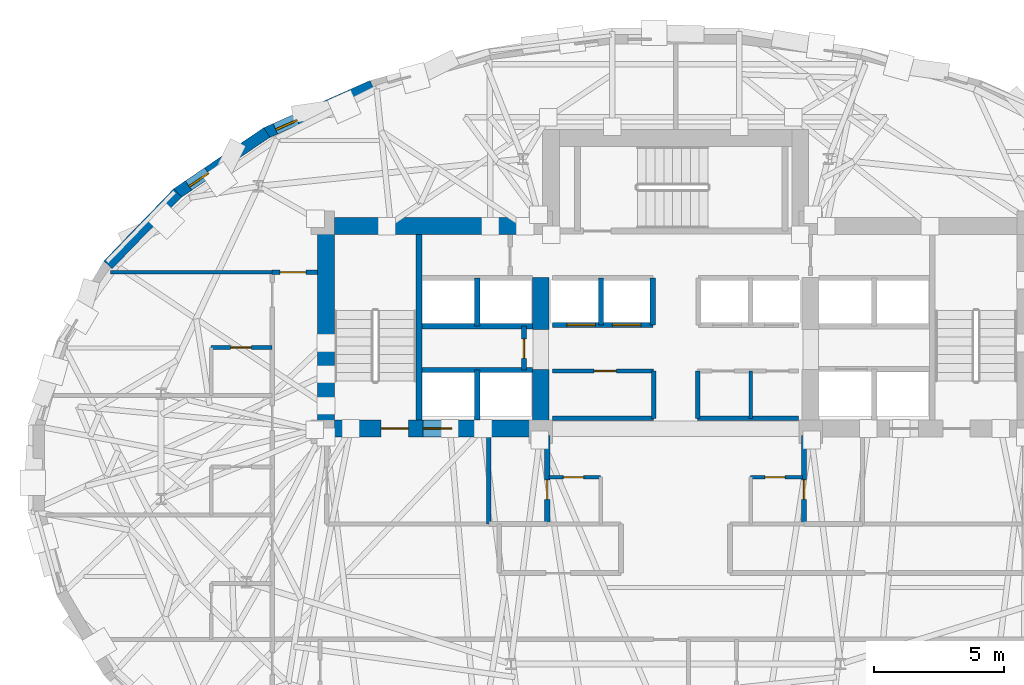
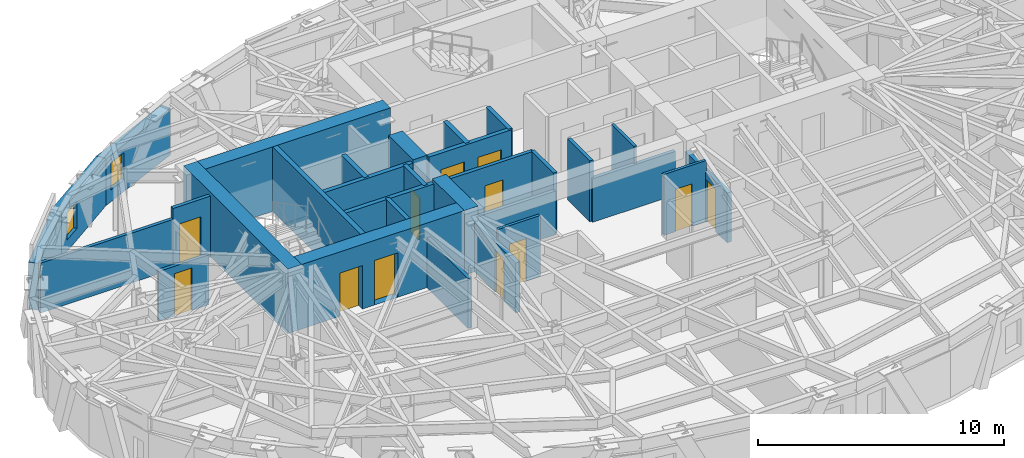
# One storey, part 7 of 14: 31 walls, 12 doors, 2 windows, 14 openings.
"""IFC4 building model written with IfcOpenShell, lengths in metres."""

from ifc_helpers import new_model, si_unit, direction, frame, frame_2d, origin, place, context, subcontext, project, spatial, rectangle, extrude, material, layer, layer_set, type_object, element, fill, save


model = new_model("IFC4")

# Units and contexts
model_context = context("Model", 3, precision=1e-05, world=origin(), true_north=direction((0.0, 1.0)))
body_context = subcontext(model_context, "Body", "Model", "MODEL_VIEW")
ifc_project = project(units=[si_unit("LENGTHUNIT", "METRE"), si_unit("AREAUNIT", "SQUARE_METRE"), si_unit("VOLUMEUNIT", "CUBIC_METRE"), si_unit("PLANEANGLEUNIT", "RADIAN"), si_unit("MASSUNIT", "GRAM", prefix="KILO")], contexts=[model_context])

# Site, building, storey
site_placement = place(None, origin())
site = spatial("IfcSite", under=ifc_project, at=site_placement, CompositionType="ELEMENT")
building_placement = place(site_placement, origin())
building = spatial("IfcBuilding", under=site, at=building_placement, Name="Keldmark Tower", CompositionType="ELEMENT")
storey_placement = place(building_placement, frame((0.0, 0.0, 169.39990234375)))
storey = spatial("IfcBuildingStorey", under=building, at=storey_placement, Name="L46", CompositionType="ELEMENT", Elevation=169.39990234375)

# Wall, opening, door
ifc_material_1 = material(Name="Acoustic Gypsum Board Interior Partition", Category="gypsum")
ifc_layer_1 = layer(ifc_material_1, 0.1298828125)
ifc_layer_set_1 = layer_set([ifc_layer_1], Name="Acoustic Gypsum Board Interior Partition")
wall_type_1 = type_object("IfcWallType", Name="Interior Partition 130 mm", PredefinedType="PARTITIONING", material=ifc_layer_set_1)
wall_1_placement = place(storey_placement, frame((-4.8798828125, -0.35009765625, 0.0), z_axis=(0.0, 0.0, 1.0), x_axis=(1.0, 0.0, 0.0)))
wall_1 = element("IfcWall", 1, at=wall_1_placement, inside=storey, type_object=wall_type_1, Name="L46 Interior Partition 130 mm CSC-W-N", PredefinedType="PARTITIONING", context=body_context, shape_type="SweptSolid", body=[
    extrude(rectangle(XDim=1.989990234375, YDim=0.1298828125, at=frame_2d((0.9951171875, 0.0))), origin(), (0.0, 0.0, 1.0), 3.02001953125),
])
opening_1_placement = place(wall_1_placement, frame((0.550048828125, 0.0, 0.0)))
opening_1 = element("IfcOpeningElement", 2, at=opening_1_placement, cuts=wall_1, Name="Opening D-CL078", PredefinedType="OPENING", context=body_context, shape_type="SweptSolid", body=[
    extrude(rectangle(XDim=0.780029296875, YDim=2.10009765625, at=frame_2d((0.39013671875, 1.050048828125))), frame((0.0, 0.074951171875, 0.0), z_axis=(0.0, -1.0, 0.0), x_axis=(1.0, 0.0, 0.0)), (0.0, 0.0, 1.0), 0.14990234375),
])
ifc_material_2 = material(Name="Flush Utility Closet Timber Door", Category="wood")
door_type_1 = type_object("IfcDoorType", Name="Closet Door 780x2100", OperationType="NOTDEFINED", PredefinedType="DOOR", material=ifc_material_2)
door_1_placement = place(opening_1_placement, origin())
door_1 = element("IfcDoor", 3, at=door_1_placement, inside=storey, type_object=door_type_1, Name="L46 Closet Door 780x2100 D-CSCW1-L46", OperationType="SINGLE_SWING_RIGHT", OverallHeight=2.10009765625, OverallWidth=0.780029296875, PredefinedType="DOOR", context=body_context, shape_type="SweptSolid", body=[
    extrude(rectangle(XDim=0.780029296875, YDim=2.10009765625, at=frame_2d((0.39013671875, 1.050048828125))), frame((0.0, 0.02490234375, 0.0), z_axis=(0.0, -1.0, 0.0), x_axis=(1.0, 0.0, 0.0)), (0.0, 0.0, 1.0), 0.050048828125),
])
fill(opening_1, door_1)

wall_2_placement = place(storey_placement, frame((2.889892578125, -0.35009765625, 0.0), z_axis=(0.0, 0.0, 1.0), x_axis=(1.0, 0.0, 0.0)))
wall_2 = element("IfcWall", 4, at=wall_2_placement, inside=storey, type_object=wall_type_1, Name="L46 Interior Partition 130 mm CSC-E-N", PredefinedType="PARTITIONING", context=body_context, shape_type="SweptSolid", body=[
    extrude(rectangle(XDim=1.989990234375, YDim=0.1298828125, at=frame_2d((0.9951171875, 0.0))), origin(), (0.0, 0.0, 1.0), 3.02001953125),
])
opening_2_placement = place(wall_2_placement, frame((0.550048828125, 0.0, 0.0)))
opening_2 = element("IfcOpeningElement", 5, at=opening_2_placement, cuts=wall_2, Name="Opening D-CL078", PredefinedType="OPENING", context=body_context, shape_type="SweptSolid", body=[
    extrude(rectangle(XDim=0.780029296875, YDim=2.10009765625, at=frame_2d((0.39013671875, 1.050048828125))), frame((0.0, 0.074951171875, 0.0), z_axis=(0.0, -1.0, 0.0), x_axis=(1.0, 0.0, 0.0)), (0.0, 0.0, 1.0), 0.14990234375),
])
door_2_placement = place(opening_2_placement, origin())
door_2 = element("IfcDoor", 6, at=door_2_placement, inside=storey, type_object=door_type_1, Name="L46 Closet Door 780x2100 D-CSCE1-L46", OperationType="SINGLE_SWING_RIGHT", OverallHeight=2.10009765625, OverallWidth=0.780029296875, PredefinedType="DOOR", context=body_context, shape_type="SweptSolid", body=[
    extrude(rectangle(XDim=0.780029296875, YDim=2.10009765625, at=frame_2d((0.39013671875, 1.050048828125))), frame((0.0, 0.02490234375, 0.0), z_axis=(0.0, -1.0, 0.0), x_axis=(1.0, 0.0, 0.0)), (0.0, 0.0, 1.0), 0.050048828125),
])
fill(opening_2, door_2)

# Walls
wall_3_placement = place(storey_placement, frame((2.89990234375, 1.919921875, 0.0), z_axis=(0.0, 0.0, 1.0), x_axis=(0.0, 1.0, 0.0)))
element("IfcWall", 7, at=wall_3_placement, inside=storey, type_object=wall_type_1, Name="L46 Interior Partition 130 mm REC-LE-M", PredefinedType="PARTITIONING", context=body_context, shape_type="SweptSolid", body=[
    extrude(rectangle(XDim=1.820068359375, YDim=0.1298828125, at=frame_2d((0.91015625, 0.0))), origin(), (0.0, 0.0, 1.0), 3.02001953125),
])
ifc_material_3 = material(Name="Type X Fire-Rated Gypsum Partition Assembly", Category="gypsum")
ifc_layer_2 = layer(ifc_material_3, 0.1650390625)
ifc_layer_set_2 = layer_set([ifc_layer_2], Name="Type X Fire-Rated Gypsum Partition Assembly")
wall_type_2 = type_object("IfcWallType", Name="Rated Partition 165 mm", PredefinedType="PARTITIONING", material=ifc_layer_set_2)
wall_4_placement = place(storey_placement, frame((-7.199951171875, -2.14990234375, 0.0), z_axis=(0.0, 0.0, 1.0), x_axis=(0.0, 1.0, 0.0)))
element("IfcWall", 8, at=wall_4_placement, inside=storey, type_object=wall_type_2, Name="L46 Rated Partition 165 mm FSAE-W-E", PredefinedType="PARTITIONING", context=body_context, shape_type="SweptSolid", body=[
    extrude(rectangle(XDim=3.39990234375, YDim=0.1650390625, at=frame_2d((1.699951171875, 0.0))), origin(), (0.0, 0.0, 1.0), 2.47314453125),
])
wall_5_placement = place(storey_placement, frame((-4.739990234375, 1.919921875, 0.0), z_axis=(0.0, 0.0, 1.0), x_axis=(1.0, 0.0, 0.0)))
element("IfcWall", 9, at=wall_5_placement, inside=storey, type_object=wall_type_2, Name="L46 Rated Partition 165 mm REC-LW-S", PredefinedType="PARTITIONING", context=body_context, shape_type="SweptSolid", body=[
    extrude(rectangle(XDim=3.889892578125, YDim=0.1650390625, at=frame_2d((1.94482421875, 0.0))), origin(), (0.0, 0.0, 1.0), 2.16015625),
])

# Wall, opening, door
wall_6_placement = place(storey_placement, frame((-4.739990234375, 3.739990234375, 0.0), z_axis=(0.0, 0.0, 1.0), x_axis=(1.0, 0.0, 0.0)))
wall_6 = element("IfcWall", 10, at=wall_6_placement, inside=storey, type_object=wall_type_2, Name="L46 Rated Partition 165 mm REC-LW-N", PredefinedType="PARTITIONING", context=body_context, shape_type="SweptSolid", body=[
    extrude(rectangle(XDim=3.889892578125, YDim=0.1650390625, at=frame_2d((1.94482421875, 0.0))), origin(), (0.0, 0.0, 1.0), 3.02001953125),
])
opening_3_placement = place(wall_6_placement, frame((1.60009765625, 0.0, 0.0)))
opening_3 = element("IfcOpeningElement", 11, at=opening_3_placement, cuts=wall_6, Name="Opening D-SV085", PredefinedType="OPENING", context=body_context, shape_type="SweptSolid", body=[
    extrude(rectangle(XDim=0.85009765625, YDim=2.10009765625, at=frame_2d((0.425048828125, 1.050048828125))), frame((0.0, 0.092529296875, 0.0), z_axis=(0.0, -1.0, 0.0), x_axis=(1.0, 0.0, 0.0)), (0.0, 0.0, 1.0), 0.18505859375),
])
ifc_material_4 = material(Name="Painted Hollow Metal Door Assembly", Category="metal")
door_type_2 = type_object("IfcDoorType", Name="Service Door 850x2100", OperationType="NOTDEFINED", PredefinedType="DOOR", material=ifc_material_4)
door_3_placement = place(opening_3_placement, origin())
door_3 = element("IfcDoor", 12, at=door_3_placement, inside=storey, type_object=door_type_2, Name="L46 Service Door 850x2100 D-RECLW1-L46", OperationType="SINGLE_SWING_LEFT", OverallHeight=2.10009765625, OverallWidth=0.85009765625, PredefinedType="DOOR", context=body_context, shape_type="SweptSolid", body=[
    extrude(rectangle(XDim=0.85009765625, YDim=2.10009765625, at=frame_2d((0.425048828125, 1.050048828125))), frame((0.0, 0.02490234375, 0.0), z_axis=(0.0, -1.0, 0.0), x_axis=(1.0, 0.0, 0.0)), (0.0, 0.0, 1.0), 0.050048828125),
])
fill(opening_3, door_3)

# Walls
wall_7_placement = place(storey_placement, frame((-0.85009765625, 1.919921875, 0.0), z_axis=(0.0, 0.0, 1.0), x_axis=(0.0, 1.0, 0.0)))
element("IfcWall", 13, at=wall_7_placement, inside=storey, type_object=wall_type_2, Name="L46 Rated Partition 165 mm REC-LW-E", PredefinedType="PARTITIONING", context=body_context, shape_type="SweptSolid", body=[
    extrude(rectangle(XDim=1.820068359375, YDim=0.1650390625, at=frame_2d((0.91015625, 0.0))), origin(), (0.0, 0.0, 1.0), 3.02001953125),
])
wall_8_placement = place(storey_placement, frame((0.85009765625, 1.919921875, 0.0), z_axis=(0.0, 0.0, 1.0), x_axis=(1.0, 0.0, 0.0)))
element("IfcWall", 14, at=wall_8_placement, inside=storey, type_object=wall_type_2, Name="L46 Rated Partition 165 mm REC-LE-S", PredefinedType="PARTITIONING", context=body_context, shape_type="SweptSolid", body=[
    extrude(rectangle(XDim=3.889892578125, YDim=0.1650390625, at=frame_2d((1.94482421875, 0.0))), origin(), (0.0, 0.0, 1.0), 2.16015625),
])
wall_9_placement = place(storey_placement, frame((0.85009765625, 1.919921875, 0.0), z_axis=(0.0, 0.0, 1.0), x_axis=(0.0, 1.0, 0.0)))
element("IfcWall", 15, at=wall_9_placement, inside=storey, type_object=wall_type_2, Name="L46 Rated Partition 165 mm REC-LE-W", PredefinedType="PARTITIONING", context=body_context, shape_type="SweptSolid", body=[
    extrude(rectangle(XDim=1.820068359375, YDim=0.1650390625, at=frame_2d((0.91015625, 0.0))), origin(), (0.0, 0.0, 1.0), 3.02001953125),
])

# Wall, opening, door
wall_10_placement = place(storey_placement, frame((-15.550048828125, 7.550048828125, 0.0), z_axis=(0.0, 0.0, 1.0), x_axis=(1.0, 0.0, 0.0)))
wall_10 = element("IfcWall", 16, at=wall_10_placement, inside=storey, type_object=wall_type_2, Name="L46 Rated Partition 165 mm HCOR-WN", PredefinedType="PARTITIONING", context=body_context, shape_type="SweptSolid", body=[
    extrude(rectangle(XDim=1.75, YDim=0.1650390625, at=frame_2d((0.875, 0.0))), origin(), (0.0, 0.0, 1.0), 3.02001953125),
])
opening_4_placement = place(wall_10_placement, frame((0.300048828125, 0.0, 0.0)))
opening_4 = element("IfcOpeningElement", 17, at=opening_4_placement, cuts=wall_10, Name="Opening D-FD100", PredefinedType="OPENING", context=body_context, shape_type="SweptSolid", body=[
    extrude(rectangle(XDim=1.0, YDim=2.14990234375, at=frame_2d((0.5, 1.074951171875))), frame((0.0, 0.092529296875, 0.0), z_axis=(0.0, -1.0, 0.0), x_axis=(1.0, 0.0, 0.0)), (0.0, 0.0, 1.0), 0.18505859375),
])
ifc_material_5 = material(Name="Hollow Metal Fire-Rated Corridor Door", Category="metal")
door_type_3 = type_object("IfcDoorType", Name="Fire Door 1000x2150", OperationType="NOTDEFINED", PredefinedType="DOOR", material=ifc_material_5)
door_4_placement = place(opening_4_placement, origin())
door_4 = element("IfcDoor", 18, at=door_4_placement, inside=storey, type_object=door_type_3, Name="L46 Fire Door 1000x2150 D-HNNW-L46", OperationType="SINGLE_SWING_LEFT", OverallHeight=2.14990234375, OverallWidth=1.0, PredefinedType="DOOR", context=body_context, shape_type="SweptSolid", body=[
    extrude(rectangle(XDim=1.0, YDim=2.14990234375, at=frame_2d((0.5, 1.074951171875))), frame((0.0, 0.02490234375, 0.0), z_axis=(0.0, -1.0, 0.0), x_axis=(1.0, 0.0, 0.0)), (0.0, 0.0, 1.0), 0.050048828125),
])
fill(opening_4, door_4)

ifc_material_6 = material(Name="Fire-Resistant Type X Gypsum Shaftliner Coreboard", Category="gypsum")
ifc_layer_3 = layer(ifc_material_6, 0.199951171875)
ifc_layer_set_3 = layer_set([ifc_layer_3], Name="Fire-Resistant Type X Gypsum Shaftliner Coreboard")
wall_type_3 = type_object("IfcWallType", Name="Shaft Wall 200 mm", PredefinedType="SOLIDWALL", material=ifc_layer_set_3)
wall_11_placement = place(storey_placement, frame((-4.949951171875, -2.14990234375, 0.0), z_axis=(0.0, 0.0, 1.0), x_axis=(0.0, 1.0, 0.0)))
wall_11 = element("IfcWall", 19, at=wall_11_placement, inside=storey, type_object=wall_type_3, Name="L46 Shaft Wall 200 mm RIS-SW-E", PredefinedType="SOLIDWALL", context=body_context, shape_type="SweptSolid", body=[
    extrude(rectangle(XDim=3.39990234375, YDim=0.199951171875, at=frame_2d((1.699951171875, 0.0))), origin(), (0.0, 0.0, 1.0), 2.47314453125),
])
opening_5_placement = place(wall_11_placement, frame((0.949951171875, 0.0, 0.0)))
opening_5 = element("IfcOpeningElement", 20, at=opening_5_placement, cuts=wall_11, Name="Opening D-RS075", PredefinedType="OPENING", context=body_context, shape_type="SweptSolid", body=[
    extrude(rectangle(XDim=0.75, YDim=2.10009765625, at=frame_2d((0.375, 1.050048828125))), frame((0.0, 0.10986328125, 0.0), z_axis=(0.0, -1.0, 0.0), x_axis=(1.0, 0.0, 0.0)), (0.0, 0.0, 1.0), 0.219970703125),
])
ifc_material_7 = material(Name="Galvanized Fire-Rated Access Leaf", Category="metal")
door_type_4 = type_object("IfcDoorType", Name="Riser Access Door 750x2100", OperationType="NOTDEFINED", PredefinedType="DOOR", material=ifc_material_7)
door_5_placement = place(opening_5_placement, origin())
door_5 = element("IfcDoor", 21, at=door_5_placement, inside=storey, type_object=door_type_4, Name="L46 Riser Access Door 750x2100 D-RISSW-L46", OperationType="SINGLE_SWING_RIGHT", OverallHeight=2.10009765625, OverallWidth=0.75, PredefinedType="DOOR", context=body_context, shape_type="SweptSolid", body=[
    extrude(rectangle(XDim=0.75, YDim=2.10009765625, at=frame_2d((0.375, 1.050048828125))), frame((0.0, 0.02490234375, 0.0), z_axis=(0.0, -1.0, 0.0), x_axis=(1.0, 0.0, 0.0)), (0.0, 0.0, 1.0), 0.050048828125),
])
fill(opening_5, door_5)

wall_12_placement = place(storey_placement, frame((4.949951171875, -2.14990234375, 0.0), z_axis=(0.0, 0.0, 1.0), x_axis=(0.0, 1.0, 0.0)))
wall_12 = element("IfcWall", 22, at=wall_12_placement, inside=storey, type_object=wall_type_3, Name="L46 Shaft Wall 200 mm RIS-SE-W", PredefinedType="SOLIDWALL", context=body_context, shape_type="SweptSolid", body=[
    extrude(rectangle(XDim=3.39990234375, YDim=0.199951171875, at=frame_2d((1.699951171875, 0.0))), origin(), (0.0, 0.0, 1.0), 2.47314453125),
])
opening_6_placement = place(wall_12_placement, frame((0.949951171875, 0.0, 0.0)))
opening_6 = element("IfcOpeningElement", 23, at=opening_6_placement, cuts=wall_12, Name="Opening D-RS075", PredefinedType="OPENING", context=body_context, shape_type="SweptSolid", body=[
    extrude(rectangle(XDim=0.75, YDim=2.10009765625, at=frame_2d((0.375, 1.050048828125))), frame((0.0, 0.10986328125, 0.0), z_axis=(0.0, -1.0, 0.0), x_axis=(1.0, 0.0, 0.0)), (0.0, 0.0, 1.0), 0.219970703125),
])
door_6_placement = place(opening_6_placement, origin())
door_6 = element("IfcDoor", 24, at=door_6_placement, inside=storey, type_object=door_type_4, Name="L46 Riser Access Door 750x2100 D-RISSE-L46", OperationType="SINGLE_SWING_LEFT", OverallHeight=2.10009765625, OverallWidth=0.75, PredefinedType="DOOR", context=body_context, shape_type="SweptSolid", body=[
    extrude(rectangle(XDim=0.75, YDim=2.10009765625, at=frame_2d((0.375, 1.050048828125))), frame((0.0, 0.02490234375, 0.0), z_axis=(0.0, -1.0, 0.0), x_axis=(1.0, 0.0, 0.0)), (0.0, 0.0, 1.0), 0.050048828125),
])
fill(opening_6, door_6)

# Walls
wall_13_placement = place(storey_placement, frame((-9.780029296875, 3.780029296875, 0.0), z_axis=(0.0, 0.0, 1.0), x_axis=(1.0, 0.0, 0.0)))
element("IfcWall", 25, at=wall_13_placement, inside=storey, type_object=wall_type_3, Name="L46 Shaft Wall 200 mm HW-W-S", PredefinedType="SOLIDWALL", context=body_context, shape_type="SweptSolid", body=[
    extrude(rectangle(XDim=4.255126953125, YDim=0.199951171875, at=frame_2d((2.12744140625, 0.0))), origin(), (0.0, 0.0, 1.0), 3.02001953125),
])
wall_14_placement = place(storey_placement, frame((-7.64990234375, 1.85009765625, 0.0), z_axis=(0.0, 0.0, 1.0), x_axis=(0.0, 1.0, 0.0)))
element("IfcWall", 26, at=wall_14_placement, inside=storey, type_object=wall_type_3, Name="L46 Shaft Wall 200 mm HW-W-M", PredefinedType="SOLIDWALL", context=body_context, shape_type="SweptSolid", body=[
    extrude(rectangle(XDim=1.929931640625, YDim=0.199951171875, at=frame_2d((0.96484375, 0.0))), origin(), (0.0, 0.0, 1.0), 3.02001953125),
])
wall_15_placement = place(storey_placement, frame((-9.780029296875, 5.469970703125, 0.0), z_axis=(0.0, 0.0, 1.0), x_axis=(1.0, 0.0, 0.0)))
element("IfcWall", 27, at=wall_15_placement, inside=storey, type_object=wall_type_3, Name="L46 Shaft Wall 200 mm HW-W-N", PredefinedType="SOLIDWALL", context=body_context, shape_type="SweptSolid", body=[
    extrude(rectangle(XDim=4.255126953125, YDim=0.199951171875, at=frame_2d((2.12744140625, 0.0))), origin(), (0.0, 0.0, 1.0), 3.02001953125),
])
wall_16_placement = place(storey_placement, frame((-7.64990234375, 5.469970703125, 0.0), z_axis=(0.0, 0.0, 1.0), x_axis=(0.0, 1.0, 0.0)))
element("IfcWall", 28, at=wall_16_placement, inside=storey, type_object=wall_type_3, Name="L46 Shaft Wall 200 mm HW-W-NM", PredefinedType="SOLIDWALL", context=body_context, shape_type="SweptSolid", body=[
    extrude(rectangle(XDim=1.860107421875, YDim=0.199951171875, at=frame_2d((0.93017578125, 0.0))), origin(), (0.0, 0.0, 1.0), 3.02001953125),
])

# Wall, opening, door
wall_17_placement = place(storey_placement, frame((-5.85009765625, 3.780029296875, 0.0), z_axis=(0.0, 0.0, 1.0), x_axis=(0.0, 1.0, 0.0)))
wall_17 = element("IfcWall", 29, at=wall_17_placement, inside=storey, type_object=wall_type_3, Name="L46 Shaft Wall 200 mm HW-W-CLOSE", PredefinedType="SOLIDWALL", context=body_context, shape_type="SweptSolid", body=[
    extrude(rectangle(XDim=1.68994140625, YDim=0.199951171875, at=frame_2d((0.844970703125, 0.0))), origin(), (0.0, 0.0, 1.0), 3.02001953125),
])
opening_7_placement = place(wall_17_placement, frame((0.449951171875, 0.0, 0.0)))
opening_7 = element("IfcOpeningElement", 30, at=opening_7_placement, cuts=wall_17, Name="Opening D-RS075", PredefinedType="OPENING", context=body_context, shape_type="SweptSolid", body=[
    extrude(rectangle(XDim=0.75, YDim=2.10009765625, at=frame_2d((0.375, 1.050048828125))), frame((0.0, 0.10986328125, 0.0), z_axis=(0.0, -1.0, 0.0), x_axis=(1.0, 0.0, 0.0)), (0.0, 0.0, 1.0), 0.219970703125),
])
door_7_placement = place(opening_7_placement, origin())
door_7 = element("IfcDoor", 31, at=door_7_placement, inside=storey, type_object=door_type_4, Name="L46 Riser Access Door 750x2100 D-RISHW-L46", OperationType="SINGLE_SWING_RIGHT", OverallHeight=2.10009765625, OverallWidth=0.75, PredefinedType="DOOR", context=body_context, shape_type="SweptSolid", body=[
    extrude(rectangle(XDim=0.75, YDim=2.10009765625, at=frame_2d((0.375, 1.050048828125))), frame((0.0, 0.02490234375, 0.0), z_axis=(0.0, -1.0, 0.0), x_axis=(1.0, 0.0, 0.0)), (0.0, 0.0, 1.0), 0.050048828125),
])
fill(opening_7, door_7)

# Wall, openings, doors
wall_18_placement = place(storey_placement, frame((-4.739990234375, 5.52001953125, 0.0), z_axis=(0.0, 0.0, 1.0), x_axis=(1.0, 0.0, 0.0)))
wall_18 = element("IfcWall", 32, at=wall_18_placement, inside=storey, type_object=wall_type_3, Name="L46 Shaft Wall 200 mm MID-S-W", PredefinedType="SOLIDWALL", context=body_context, shape_type="SweptSolid", body=[
    extrude(rectangle(XDim=3.860107421875, YDim=0.199951171875, at=frame_2d((1.93017578125, 0.0))), origin(), (0.0, 0.0, 1.0), 3.02001953125),
])
opening_8_placement = place(wall_18_placement, frame((0.550048828125, 0.0, 0.0)))
opening_8 = element("IfcOpeningElement", 33, at=opening_8_placement, cuts=wall_18, Name="Opening LD-110", PredefinedType="OPENING", context=body_context, shape_type="SweptSolid", body=[
    extrude(rectangle(XDim=1.10009765625, YDim=2.199951171875, at=frame_2d((0.550048828125, 1.10009765625))), frame((0.0, 0.10986328125, 0.0), z_axis=(0.0, -1.0, 0.0), x_axis=(1.0, 0.0, 0.0)), (0.0, 0.0, 1.0), 0.219970703125),
])
opening_9_placement = place(wall_18_placement, frame((2.300048828125, 0.0, 0.0)))
opening_9 = element("IfcOpeningElement", 34, at=opening_9_placement, cuts=wall_18, Name="Opening LD-110", PredefinedType="OPENING", context=body_context, shape_type="SweptSolid", body=[
    extrude(rectangle(XDim=1.10009765625, YDim=2.199951171875, at=frame_2d((0.550048828125, 1.10009765625))), frame((0.0, 0.10986328125, 0.0), z_axis=(0.0, -1.0, 0.0), x_axis=(1.0, 0.0, 0.0)), (0.0, 0.0, 1.0), 0.219970703125),
])
ifc_material_8 = material(Name="Brushed Bronze Hoistway Sliding Leaf", Category="metal")
door_type_5 = type_object("IfcDoorType", Name="Lift Landing Sliding Door 1100x2200", OperationType="SLIDING_TO_LEFT", PredefinedType="DOOR", material=ifc_material_8)
door_8_placement = place(opening_8_placement, origin())
door_8 = element("IfcDoor", 35, at=door_8_placement, inside=storey, type_object=door_type_5, Name="L46 Lift Landing Sliding Door 1100x2200 LD-EL-M1-L46", OperationType="SLIDING_TO_LEFT", OverallHeight=2.199951171875, OverallWidth=1.10009765625, PredefinedType="DOOR", context=body_context, shape_type="SweptSolid", body=[
    extrude(rectangle(XDim=1.10009765625, YDim=2.199951171875, at=frame_2d((0.550048828125, 1.10009765625))), frame((0.0, 0.02490234375, 0.0), z_axis=(0.0, -1.0, 0.0), x_axis=(1.0, 0.0, 0.0)), (0.0, 0.0, 1.0), 0.050048828125),
])
fill(opening_8, door_8)
door_9_placement = place(opening_9_placement, origin())
door_9 = element("IfcDoor", 36, at=door_9_placement, inside=storey, type_object=door_type_5, Name="L46 Lift Landing Sliding Door 1100x2200 LD-EL-M2-L46", OperationType="SLIDING_TO_LEFT", OverallHeight=2.199951171875, OverallWidth=1.10009765625, PredefinedType="DOOR", context=body_context, shape_type="SweptSolid", body=[
    extrude(rectangle(XDim=1.10009765625, YDim=2.199951171875, at=frame_2d((0.550048828125, 1.10009765625))), frame((0.0, 0.02490234375, 0.0), z_axis=(0.0, -1.0, 0.0), x_axis=(1.0, 0.0, 0.0)), (0.0, 0.0, 1.0), 0.050048828125),
])
fill(opening_9, door_9)

# Walls
for number, where, z_axis, x_axis, name in (
    (37, (-2.8798828125, 5.52001953125, 0.0), (0.0, 0.0, 1.0), (0.0, 1.0, 0.0), "L46 Shaft Wall 200 mm MID-M-W"),
    (38, (-0.8798828125, 5.52001953125, 0.0), (0.0, 0.0, 1.0), (0.0, 1.0, 0.0), "L46 Shaft Wall 200 mm MID-C-W"),
):
    element("IfcWall", number, at=place(storey_placement, frame(where, z_axis=z_axis, x_axis=x_axis)), inside=storey, type_object=wall_type_3, Name=name, PredefinedType="SOLIDWALL", context=body_context, shape_type="SweptSolid", body=[
        extrude(rectangle(XDim=1.81005859375, YDim=0.199951171875, at=frame_2d((0.905029296875, 0.0))), origin(), (0.0, 0.0, 1.0), 3.02001953125),
    ])
ifc_material_9 = material(Name="Concrete C50/60", Category="concrete")
ifc_layer_4 = layer(ifc_material_9, 0.219970703125)
ifc_layer_set_4 = layer_set([ifc_layer_4], Name="Concrete C50/60")
wall_type_4 = type_object("IfcWallType", Name="Stair Core Shear Wall 220 mm", PredefinedType="SHEAR", material=ifc_layer_set_4)
wall_19_placement = place(storey_placement, frame((-9.889892578125, 1.85009765625, 0.0), z_axis=(0.0, 0.0, 1.0), x_axis=(0.0, 1.0, 0.0)))
element("IfcWall", 39, at=wall_19_placement, inside=storey, type_object=wall_type_4, Name="L46 West Stair Core Shear Wall", PredefinedType="SHEAR", context=body_context, shape_type="SweptSolid", body=[
    extrude(rectangle(XDim=7.14990234375, YDim=0.219970703125, at=frame_2d((3.574951171875, 0.0))), origin(), (0.0, 0.0, 1.0), 3.2001953125),
])

# Wall, opening, window
ifc_material_10 = material(Name="Ironspot Manganese Brick and Kasota Buff Limestone Spandrel Assembly", Category="masonry")
ifc_layer_5 = layer(ifc_material_10, 0.43994140625)
ifc_layer_set_5 = layer_set([ifc_layer_5], Name="Ironspot Manganese Brick and Kasota Buff Limestone Spandrel Assembly")
wall_type_5 = type_object("IfcWallType", Name="Tower Brick Pier and Spandrel Wall 440 mm", PredefinedType="STANDARD", material=ifc_layer_set_5)
wall_20_placement = place(storey_placement, frame((-15.790771484375, 12.91552734375, 0.0), z_axis=(0.0, 0.0, 1.0), x_axis=(0.913907994914, 0.405921392431, 0.0)))
wall_20 = element("IfcWall", 40, at=wall_20_placement, inside=storey, type_object=wall_type_5, Name="L46 Exterior Brick and Spandrel Wall 11", PredefinedType="STANDARD", context=body_context, shape_type="SweptSolid", body=[
    extrude(rectangle(XDim=4.4873046875, YDim=0.43994140625, at=frame_2d((2.24365234375, 0.0))), origin(), (0.0, 0.0, 1.0), 2.315185546875),
])
opening_10_placement = place(wall_20_placement, frame((0.399169921875, 0.0, 0.580078125)))
opening_10 = element("IfcOpeningElement", 41, at=opening_10_placement, cuts=wall_20, Name="Opening W-09", PredefinedType="OPENING", context=body_context, shape_type="SweptSolid", body=[
    extrude(rectangle(XDim=0.89990234375, YDim=1.35009765625, at=frame_2d((0.449951171875, 0.675048828125))), frame((0.0, 0.22998046875, 0.0), z_axis=(0.0, -1.0, 0.0), x_axis=(1.0, 0.0, 0.0)), (0.0, 0.0, 1.0), 0.4599609375),
])
ifc_material_11 = material(Name="Thermally Broken Anodized Aluminum and Triple Low-E Argon Glazing", Category="aluminium")
window_type = type_object("IfcWindowType", Name="Corner Pier Deep-Set Window 900x1350", PartitioningType="SINGLE_PANEL", PredefinedType="WINDOW", material=ifc_material_11)
window_1_placement = place(opening_10_placement, origin())
window_1 = element("IfcWindow", 42, at=window_1_placement, inside=storey, type_object=window_type, Name="L46 Deep-Set Window 11", OverallHeight=1.35009765625, OverallWidth=0.89990234375, PartitioningType="SINGLE_PANEL", PredefinedType="WINDOW", context=body_context, shape_type="SweptSolid", body=[
    extrude(rectangle(XDim=0.89990234375, YDim=1.35009765625, at=frame_2d((0.449951171875, 0.675048828125))), frame((0.0, -0.010009765625, 0.0), z_axis=(0.0, -1.0, 0.0), x_axis=(1.0, 0.0, 0.0)), (0.0, 0.0, 1.0), 0.06005859375),
])
fill(opening_10, window_1)

wall_21_placement = place(storey_placement, frame((-19.2265625, 10.58251953125, 0.0), z_axis=(0.0, 0.0, 1.0), x_axis=(0.827760762475, 0.561081206338, 0.0)))
wall_21 = element("IfcWall", 43, at=wall_21_placement, inside=storey, type_object=wall_type_5, Name="L46 Exterior Brick and Spandrel Wall 12", PredefinedType="STANDARD", context=body_context, shape_type="SweptSolid", body=[
    extrude(rectangle(XDim=4.19189453125, YDim=0.43994140625, at=frame_2d((2.095947265625, 0.0))), origin(), (0.0, 0.0, 1.0), 2.319091796875),
])
opening_11_placement = place(wall_21_placement, frame((0.549072265625, 0.0, 0.580078125)))
opening_11 = element("IfcOpeningElement", 44, at=opening_11_placement, cuts=wall_21, Name="Opening W-09", PredefinedType="OPENING", context=body_context, shape_type="SweptSolid", body=[
    extrude(rectangle(XDim=0.89990234375, YDim=1.35009765625, at=frame_2d((0.449951171875, 0.675048828125))), frame((0.0, 0.22998046875, 0.0), z_axis=(0.0, -1.0, 0.0), x_axis=(1.0, 0.0, 0.0)), (0.0, 0.0, 1.0), 0.4599609375),
])
window_2_placement = place(opening_11_placement, origin())
window_2 = element("IfcWindow", 45, at=window_2_placement, inside=storey, type_object=window_type, Name="L46 Deep-Set Window 12", OverallHeight=1.35009765625, OverallWidth=0.89990234375, PartitioningType="SINGLE_PANEL", PredefinedType="WINDOW", context=body_context, shape_type="SweptSolid", body=[
    extrude(rectangle(XDim=0.89990234375, YDim=1.35009765625, at=frame_2d((0.449951171875, 0.675048828125))), frame((0.0, -0.010009765625, 0.0), z_axis=(0.0, -1.0, 0.0), x_axis=(1.0, 0.0, 0.0)), (0.0, 0.0, 1.0), 0.06005859375),
])
fill(opening_11, window_2)

# Walls
wall_22_placement = place(storey_placement, frame((-21.878662109375, 7.831787109375, 0.0), z_axis=(0.0, 0.0, 1.0), x_axis=(0.694975307772, 0.719033602544, 0.0)))
element("IfcWall", 46, at=wall_22_placement, inside=storey, type_object=wall_type_5, Name="L46 Exterior Brick and Spandrel Wall 13", PredefinedType="STANDARD", context=body_context, shape_type="SweptSolid", body=[
    extrude(rectangle(XDim=3.866455078125, YDim=0.43994140625, at=frame_2d((1.93310546875, 0.0))), origin(), (0.0, 0.0, 1.0), 2.315185546875),
])
ifc_material_12 = material(Name="Concrete C50/60", Category="concrete")
ifc_layer_6 = layer(ifc_material_12, 0.64990234375)
ifc_layer_set_6 = layer_set([ifc_layer_6], Name="Concrete C50/60")
wall_type_6 = type_object("IfcWallType", Name="Upper-Mid Core Shear Wall 650 mm", PredefinedType="SHEAR", material=ifc_layer_set_6)
wall_23_placement = place(storey_placement, frame((-13.47509765625, 1.199951171875, 0.0), z_axis=(0.0, 0.0, 1.0), x_axis=(0.0, 1.0, 0.0)))
element("IfcWall", 47, at=wall_23_placement, inside=storey, type_object=wall_type_6, Name="L46 West Core Outer Shear Wall", PredefinedType="SHEAR", context=body_context, shape_type="SweptSolid", body=[
    extrude(rectangle(XDim=8.449951171875, YDim=0.64990234375, at=frame_2d((4.22509765625, 0.0))), origin(), (0.0, 0.0, 1.0), 3.2001953125),
])
wall_24_placement = place(storey_placement, frame((-13.800048828125, 9.324951171875, 0.0), z_axis=(0.0, 0.0, 1.0), x_axis=(1.0, 0.0, 0.0)))
element("IfcWall", 48, at=wall_24_placement, inside=storey, type_object=wall_type_6, Name="L46 West Core North Shear Wall", PredefinedType="SHEAR", context=body_context, shape_type="SweptSolid", body=[
    extrude(rectangle(XDim=9.324951171875, YDim=0.64990234375, at=frame_2d((4.66259765625, 0.0))), origin(), (0.0, 0.0, 1.0), 3.2001953125),
])

# Wall, openings, doors
wall_25_placement = place(storey_placement, frame((-4.875, 1.52490234375, 0.0), z_axis=(0.0, 0.0, 1.0), x_axis=(-1.0, 0.0, 0.0)))
wall_25 = element("IfcWall", 49, at=wall_25_placement, inside=storey, type_object=wall_type_6, Name="L46 West Core South Shear Wall", PredefinedType="SHEAR", context=body_context, shape_type="SweptSolid", body=[
    extrude(rectangle(XDim=8.925048828125, YDim=0.64990234375, at=frame_2d((4.46240234375, 0.0))), origin(), (0.0, 0.0, 1.0), 3.2001953125),
])
opening_12_placement = place(wall_25_placement, frame((5.425048828125, 0.0, 0.0)))
opening_12 = element("IfcOpeningElement", 50, at=opening_12_placement, cuts=wall_25, Name="Opening D-ST105", PredefinedType="OPENING", context=body_context, shape_type="SweptSolid", body=[
    extrude(rectangle(XDim=1.050048828125, YDim=2.14990234375, at=frame_2d((0.52490234375, 1.074951171875))), frame((0.0, 0.3349609375, 0.0), z_axis=(0.0, -1.0, 0.0), x_axis=(1.0, 0.0, 0.0)), (0.0, 0.0, 1.0), 0.669921875),
])
opening_13_placement = place(wall_25_placement, frame((3.7548828125, 0.0, 0.0)))
opening_13 = element("IfcOpeningElement", 51, at=opening_13_placement, cuts=wall_25, Name="Opening LD-110", PredefinedType="OPENING", context=body_context, shape_type="SweptSolid", body=[
    extrude(rectangle(XDim=1.10009765625, YDim=2.199951171875, at=frame_2d((0.550048828125, 1.10009765625))), frame((0.0, 0.3349609375, 0.0), z_axis=(0.0, -1.0, 0.0), x_axis=(1.0, 0.0, 0.0)), (0.0, 0.0, 1.0), 0.669921875),
])
door_10_placement = place(opening_13_placement, origin())
door_10 = element("IfcDoor", 52, at=door_10_placement, inside=storey, type_object=door_type_5, Name="L46 Lift Landing Sliding Door 1100x2200 LD-EL-FS1-L46", OperationType="SLIDING_TO_LEFT", OverallHeight=2.199951171875, OverallWidth=1.10009765625, PredefinedType="DOOR", context=body_context, shape_type="SweptSolid", body=[
    extrude(rectangle(XDim=1.10009765625, YDim=2.199951171875, at=frame_2d((0.550048828125, 1.10009765625))), frame((0.0, 0.02490234375, 0.0), z_axis=(0.0, -1.0, 0.0), x_axis=(1.0, 0.0, 0.0)), (0.0, 0.0, 1.0), 0.050048828125),
])
fill(opening_13, door_10)
ifc_material_13 = material(Name="Hollow Metal Fire-Rated Door Assembly", Category="metal")
door_type_6 = type_object("IfcDoorType", Name="Stair Fire Door 1050x2150", OperationType="NOTDEFINED", PredefinedType="DOOR", material=ifc_material_13)
door_11_placement = place(opening_12_placement, origin())
door_11 = element("IfcDoor", 53, at=door_11_placement, inside=storey, type_object=door_type_6, Name="L46 Stair Fire Door 1050x2150 D-ST1-L46", OperationType="SINGLE_SWING_RIGHT", OverallHeight=2.14990234375, OverallWidth=1.050048828125, PredefinedType="DOOR", context=body_context, shape_type="SweptSolid", body=[
    extrude(rectangle(XDim=1.050048828125, YDim=2.14990234375, at=frame_2d((0.52490234375, 1.074951171875))), frame((0.0, 0.02490234375, 0.0), z_axis=(0.0, -1.0, 0.0), x_axis=(1.0, 0.0, 0.0)), (0.0, 0.0, 1.0), 0.050048828125),
])
fill(opening_12, door_11)

# Walls
wall_26_placement = place(storey_placement, frame((-5.199951171875, 1.199951171875, 0.0), z_axis=(0.0, 0.0, 1.0), x_axis=(0.0, 1.0, 0.0)))
element("IfcWall", 54, at=wall_26_placement, inside=storey, type_object=wall_type_6, Name="L46 West Core Inner Shear Pier South", PredefinedType="SHEAR", context=body_context, shape_type="SweptSolid", body=[
    extrude(rectangle(XDim=2.60009765625, YDim=0.64990234375, at=frame_2d((1.300048828125, 0.0))), origin(), (0.0, 0.0, 1.0), 3.2001953125),
])
wall_27_placement = place(storey_placement, frame((-5.199951171875, 5.35009765625, 0.0), z_axis=(0.0, 0.0, 1.0), x_axis=(0.0, 1.0, 0.0)))
element("IfcWall", 55, at=wall_27_placement, inside=storey, type_object=wall_type_6, Name="L46 West Core Inner Shear Pier North", PredefinedType="SHEAR", context=body_context, shape_type="SweptSolid", body=[
    extrude(rectangle(XDim=2.0, YDim=0.64990234375, at=frame_2d((1.0, 0.0))), origin(), (0.0, 0.0, 1.0), 3.2001953125),
])
ifc_material_14 = material(Name="Moisture-Resistant Gypsum Plumbing Partition", Category="gypsum")
ifc_layer_7 = layer(ifc_material_14, 0.14990234375)
ifc_layer_set_7 = layer_set([ifc_layer_7], Name="Moisture-Resistant Gypsum Plumbing Partition")
wall_type_7 = type_object("IfcWallType", Name="Wet Wall 150 mm", PredefinedType="PLUMBINGWALL", material=ifc_layer_set_7)
wall_28_placement = place(storey_placement, frame((-21.773193359375, 7.550048828125, 0.0), z_axis=(0.0, 0.0, 1.0), x_axis=(1.0, 0.0, 0.0)))
element("IfcWall", 56, at=wall_28_placement, inside=storey, type_object=wall_type_7, Name="L46 Wet Wall 150 mm HW-CAP-N", PredefinedType="PLUMBINGWALL", context=body_context, shape_type="SweptSolid", body=[
    extrude(rectangle(XDim=6.22314453125, YDim=0.14990234375, at=frame_2d((3.111572265625, 0.0))), origin(), (0.0, 0.0, 1.0), 2.47314453125),
])

# Wall, opening, door
wall_29_placement = place(storey_placement, frame((-17.89990234375, 4.64990234375, 0.0), z_axis=(0.0, 0.0, 1.0), x_axis=(1.0, 0.0, 0.0)))
wall_29 = element("IfcWall", 57, at=wall_29_placement, inside=storey, type_object=wall_type_7, Name="L46 Wet Wall 150 mm HB-5-N", PredefinedType="PLUMBINGWALL", context=body_context, shape_type="SweptSolid", body=[
    extrude(rectangle(XDim=2.349853515625, YDim=0.14990234375, at=frame_2d((1.1748046875, 0.0))), origin(), (0.0, 0.0, 1.0), 2.47314453125),
])
opening_14_placement = place(wall_29_placement, frame((0.75, 0.0, 0.0)))
opening_14 = element("IfcOpeningElement", 58, at=opening_14_placement, cuts=wall_29, Name="Opening D-BT080", PredefinedType="OPENING", context=body_context, shape_type="SweptSolid", body=[
    extrude(rectangle(XDim=0.800048828125, YDim=2.10009765625, at=frame_2d((0.39990234375, 1.050048828125))), frame((0.0, 0.0849609375, 0.0), z_axis=(0.0, -1.0, 0.0), x_axis=(1.0, 0.0, 0.0)), (0.0, 0.0, 1.0), 0.169921875),
])
ifc_material_15 = material(Name="Moisture-Sealed Stained Wood", Category="wood")
door_type_7 = type_object("IfcDoorType", Name="Bathroom Door 800x2100", OperationType="NOTDEFINED", PredefinedType="DOOR", material=ifc_material_15)
door_12_placement = place(opening_14_placement, origin())
door_12 = element("IfcDoor", 59, at=door_12_placement, inside=storey, type_object=door_type_7, Name="L46 Bathroom Door 800x2100 D-HB-5-L46", OperationType="SINGLE_SWING_LEFT", OverallHeight=2.10009765625, OverallWidth=0.800048828125, PredefinedType="DOOR", context=body_context, shape_type="SweptSolid", body=[
    extrude(rectangle(XDim=0.800048828125, YDim=2.10009765625, at=frame_2d((0.39990234375, 1.050048828125))), frame((0.0, 0.02490234375, 0.0), z_axis=(0.0, -1.0, 0.0), x_axis=(1.0, 0.0, 0.0)), (0.0, 0.0, 1.0), 0.050048828125),
])
fill(opening_14, door_12)

save(model, "model.ifc")
